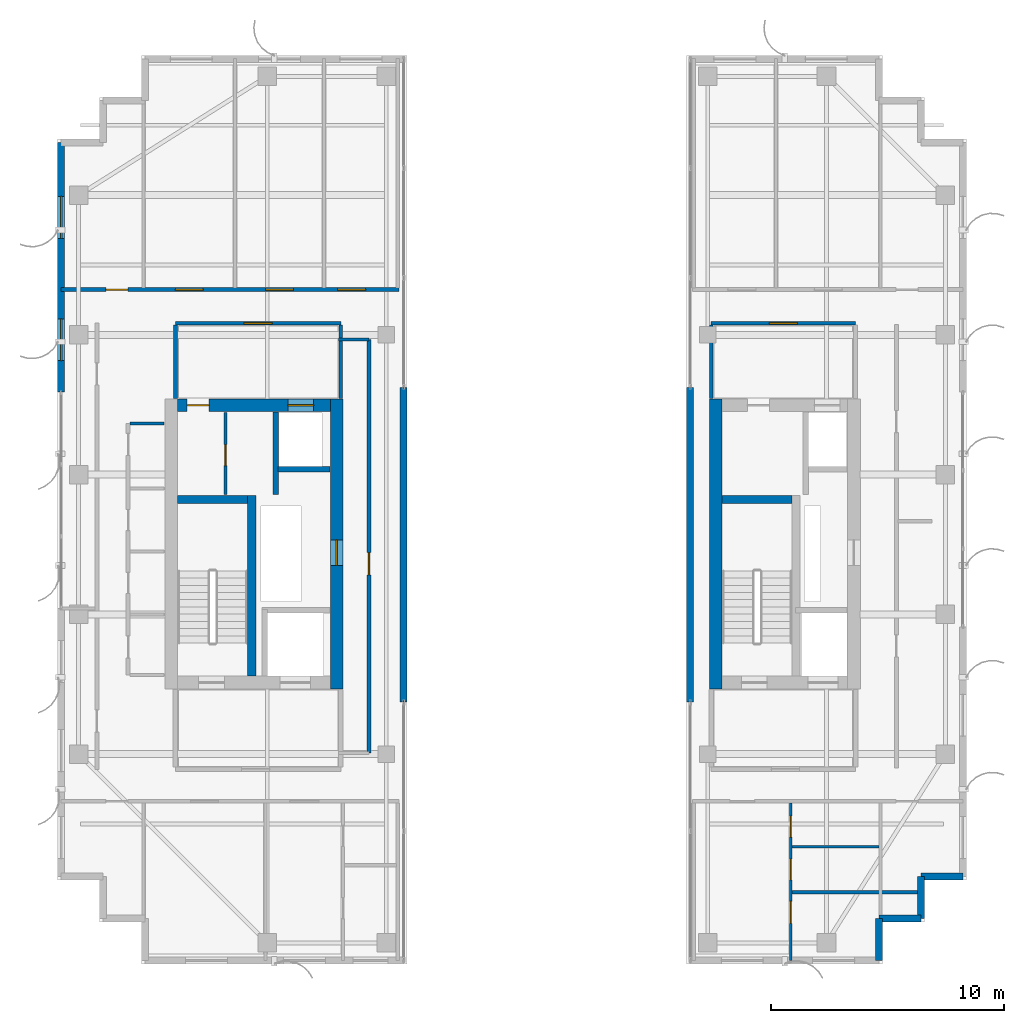
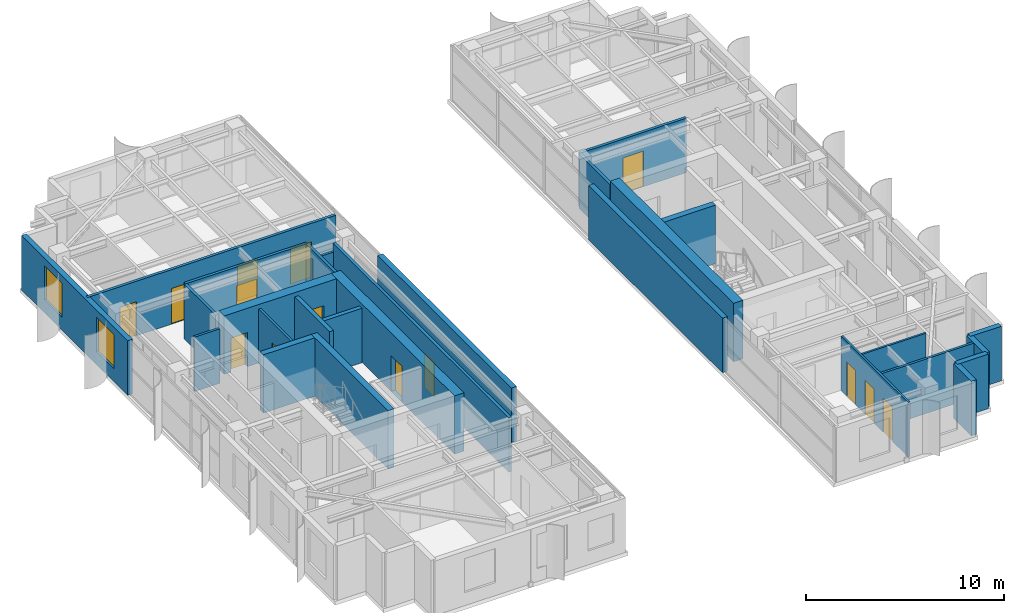
# One storey, part 19 of 24: 28 walls, 14 doors, 2 windows, 16 openings.
"""IFC4 building model written with IfcOpenShell, lengths in metres."""

from ifc_helpers import new_model, si_unit, direction, frame, frame_2d, origin, place, context, subcontext, project, spatial, rectangle, extrude, source, transform, mapped, material, layer, layer_set, type_object, element, fill, save


model = new_model("IFC4")

# Units and contexts
model_context = context("Model", 3, precision=1e-05, world=origin(), true_north=direction((0.0, 1.0)))
body_context = subcontext(model_context, "Body", "Model", "MODEL_VIEW")
ifc_project = project(units=[si_unit("LENGTHUNIT", "METRE"), si_unit("AREAUNIT", "SQUARE_METRE"), si_unit("VOLUMEUNIT", "CUBIC_METRE"), si_unit("PLANEANGLEUNIT", "RADIAN"), si_unit("MASSUNIT", "GRAM", prefix="KILO")], contexts=[model_context])

# Site, building, storey
site_placement = place(None, origin())
site = spatial("IfcSite", under=ifc_project, at=site_placement, CompositionType="ELEMENT")
building_placement = place(site_placement, origin())
building = spatial("IfcBuilding", under=site, at=building_placement, Name="Khoralis Quay Care Tower", CompositionType="ELEMENT")
storey_placement = place(building_placement, frame((0.0, 0.0, 234.89990234375)))
storey = spatial("IfcBuildingStorey", under=building, at=storey_placement, Name="L61", CompositionType="ELEMENT", Elevation=234.89990234375)

# Wall, opening, door
ifc_material_1 = material(Name="Concrete C65/80", Category="concrete")
ifc_layer_1 = layer(ifc_material_1, 0.550048828125)
ifc_layer_set_1 = layer_set([ifc_layer_1], Name="Concrete C65/80")
wall_type_1 = type_object("IfcWallType", Name="WL-CORE-550", PredefinedType="SHEAR", material=ifc_layer_set_1)
wall_1_placement = place(storey_placement, frame((14.97509765625, 14.800048828125, 0.0), z_axis=(0.0, 0.0, 1.0), x_axis=(0.0, 1.0, 0.0)))
wall_1 = element("IfcWall", 1, at=wall_1_placement, inside=storey, type_object=wall_type_1, Name="L61 WCORE East Shear Wall", PredefinedType="SHEAR", context=body_context, shape_type="SweptSolid", body=[
    extrude(rectangle(XDim=12.449951171875, YDim=0.550048828125, at=frame_2d((6.22509765625, 0.0))), origin(), (0.0, 0.0, 1.0), 3.60009765625),
])
opening_1_placement = place(wall_1_placement, frame((5.300048828125, 0.0, 0.0)))
opening_1 = element("IfcOpeningElement", 2, at=opening_1_placement, cuts=wall_1, Name="Opening SD1", PredefinedType="OPENING", context=body_context, shape_type="SweptSolid", body=[
    extrude(rectangle(XDim=1.10009765625, YDim=2.199951171875, at=frame_2d((0.550048828125, 1.10009765625))), frame((0.0, 0.28515625, 0.0), z_axis=(0.0, -1.0, 0.0), x_axis=(1.0, 0.0, 0.0)), (0.0, 0.0, 1.0), 0.570068359375),
])
ifc_material_2 = material(Name="Fire-rated painted steel", Category="steel")
door_type_1 = type_object("IfcDoorType", Name="DR-STAIR-1100X2200", OperationType="NOTDEFINED", PredefinedType="DOOR", material=ifc_material_2)
shared_shape_1 = source(origin(), body_context, "Body", "SweptSolid", [
    extrude(rectangle(XDim=1.10009765625, YDim=2.199951171875, at=frame_2d((0.550048828125, 1.10009765625))), frame((0.0, 0.02490234375, 0.0), z_axis=(0.0, -1.0, 0.0), x_axis=(1.0, 0.0, 0.0)), (0.0, 0.0, 1.0), 0.050048828125),
])
door_1_placement = place(opening_1_placement, origin())
door_1 = element("IfcDoor", 3, at=door_1_placement, inside=storey, type_object=door_type_1, Name="L61 West MEP Riser Door", OperationType="SINGLE_SWING_LEFT", OverallHeight=2.199951171875, OverallWidth=1.10009765625, PredefinedType="DOOR", context=body_context, shape_type="MappedRepresentation", body=[
    mapped(shared_shape_1, transform((0.0, 0.0, 0.0), scale=1.0)),
])
fill(opening_1, door_1)

# Wall, openings, doors
wall_2_placement = place(storey_placement, frame((8.14990234375, 26.97509765625, 0.0), z_axis=(0.0, 0.0, 1.0), x_axis=(1.0, 0.0, 0.0)))
wall_2 = element("IfcWall", 4, at=wall_2_placement, inside=storey, type_object=wall_type_1, Name="L61 WCORE North Shear Wall", PredefinedType="SHEAR", context=body_context, shape_type="SweptSolid", body=[
    extrude(rectangle(XDim=6.550048828125, YDim=0.550048828125, at=frame_2d((3.27490234375, 0.0))), origin(), (0.0, 0.0, 1.0), 3.60009765625),
])
opening_2_placement = place(wall_2_placement, frame((0.39990234375, 0.0, 0.0)))
opening_2 = element("IfcOpeningElement", 5, at=opening_2_placement, cuts=wall_2, Name="Opening ID1", PredefinedType="OPENING", context=body_context, shape_type="SweptSolid", body=[
    extrude(rectangle(XDim=0.949951171875, YDim=2.10009765625, at=frame_2d((0.47509765625, 1.050048828125))), frame((0.0, 0.28515625, 0.0), z_axis=(0.0, -1.0, 0.0), x_axis=(1.0, 0.0, 0.0)), (0.0, 0.0, 1.0), 0.570068359375),
])
opening_3_placement = place(wall_2_placement, frame((4.72998046875, 0.0, 0.0)))
opening_3 = element("IfcOpeningElement", 6, at=opening_3_placement, cuts=wall_2, Name="Opening LD1", PredefinedType="OPENING", context=body_context, shape_type="SweptSolid", body=[
    extrude(rectangle(XDim=1.10009765625, YDim=2.199951171875, at=frame_2d((0.550048828125, 1.10009765625))), frame((0.0, 0.28515625, 0.0), z_axis=(0.0, -1.0, 0.0), x_axis=(1.0, 0.0, 0.0)), (0.0, 0.0, 1.0), 0.570068359375),
])
ifc_material_3 = material(Name="Brushed stainless steel", Category="steel")
door_type_2 = type_object("IfcDoorType", Name="DR-LIFT-1100X2200", OperationType="SLIDING_TO_LEFT", PredefinedType="DOOR", material=ifc_material_3)
shared_shape_2 = source(origin(), body_context, "Body", "SweptSolid", [
    extrude(rectangle(XDim=1.10009765625, YDim=2.199951171875, at=frame_2d((0.550048828125, 1.10009765625))), frame((0.0, 0.02490234375, 0.0), z_axis=(0.0, -1.0, 0.0), x_axis=(1.0, 0.0, 0.0)), (0.0, 0.0, 1.0), 0.050048828125),
])
door_2_placement = place(opening_3_placement, origin())
door_2 = element("IfcDoor", 7, at=door_2_placement, inside=storey, type_object=door_type_2, Name="L61 Lift PLH1 Landing Door", OperationType="SLIDING_TO_LEFT", OverallHeight=2.199951171875, OverallWidth=1.10009765625, PredefinedType="DOOR", context=body_context, shape_type="MappedRepresentation", body=[
    mapped(shared_shape_2, transform((0.0, 0.0, 0.0), scale=1.0)),
])
fill(opening_3, door_2)
ifc_material_4 = material(Name="Acoustic hardwood timber", Category="wood")
door_type_3 = type_object("IfcDoorType", Name="DR-ROOM-950X2100", OperationType="NOTDEFINED", PredefinedType="DOOR", material=ifc_material_4)
shared_shape_3 = source(origin(), body_context, "Body", "SweptSolid", [
    extrude(rectangle(XDim=0.949951171875, YDim=2.10009765625, at=frame_2d((0.47509765625, 1.050048828125))), frame((0.0, 0.02490234375, 0.0), z_axis=(0.0, -1.0, 0.0), x_axis=(1.0, 0.0, 0.0)), (0.0, 0.0, 1.0), 0.050048828125),
])
door_3_placement = place(opening_2_placement, frame((0.949951171875, 0.0, 0.0), z_axis=(0.0, 0.0, 1.0), x_axis=(-1.0, 0.0, 0.0)))
door_3 = element("IfcDoor", 8, at=door_3_placement, inside=storey, type_object=door_type_3, Name="L61 Telemetry Study Door", OperationType="SINGLE_SWING_LEFT", OverallHeight=2.10009765625, OverallWidth=0.949951171875, PredefinedType="DOOR", context=body_context, shape_type="MappedRepresentation", body=[
    mapped(shared_shape_3, transform((0.0, 0.0, 0.0), scale=1.0)),
])
fill(opening_2, door_3)

# Wall
wall_3_placement = place(storey_placement, frame((31.2451171875, 14.800048828125, 0.0), z_axis=(0.0, 0.0, 1.0), x_axis=(0.0, 1.0, 0.0)))
element("IfcWall", 9, at=wall_3_placement, inside=storey, type_object=wall_type_1, Name="L61 ECORE West Shear Wall", PredefinedType="SHEAR", context=body_context, shape_type="SweptSolid", body=[
    extrude(rectangle(XDim=12.449951171875, YDim=0.550048828125, at=frame_2d((6.22509765625, 0.0))), origin(), (0.0, 0.0, 1.0), 3.60009765625),
])

# Wall, opening, door
ifc_material_5 = material(Name="Gypsum plasterboard on acoustic metal stud")
ifc_layer_2 = layer(ifc_material_5, 0.1650390625)
ifc_layer_set_2 = layer_set([ifc_layer_2], Name="Gypsum plasterboard on acoustic metal stud")
wall_type_2 = type_object("IfcWallType", Name="WL-CORR-165", PredefinedType="PARTITIONING", material=ifc_layer_set_2)
wall_4_placement = place(storey_placement, frame((8.050048828125, 30.5, 0.0), z_axis=(0.0, 0.0, 1.0), x_axis=(1.0, 0.0, 0.0)))
wall_4 = element("IfcWall", 10, at=wall_4_placement, inside=storey, type_object=wall_type_2, Name="L61 West Lift Lobby North Wall", PredefinedType="PARTITIONING", context=body_context, shape_type="SweptSolid", body=[
    extrude(rectangle(XDim=7.099853515625, YDim=0.1650390625, at=frame_2d((3.5498046875, 0.0))), origin(), (0.0, 0.0, 1.0), 3.360107421875),
])
opening_4_placement = place(wall_4_placement, frame((2.949951171875, 0.0, 0.0)))
opening_4 = element("IfcOpeningElement", 11, at=opening_4_placement, cuts=wall_4, Name="Opening FD1", PredefinedType="OPENING", context=body_context, shape_type="SweptSolid", body=[
    extrude(rectangle(XDim=1.199951171875, YDim=2.199951171875, at=frame_2d((0.60009765625, 1.10009765625))), frame((0.0, 0.092529296875, 0.0), z_axis=(0.0, -1.0, 0.0), x_axis=(1.0, 0.0, 0.0)), (0.0, 0.0, 1.0), 0.18505859375),
])
door_type_4 = type_object("IfcDoorType", Name="DR-FFL-1200X2200", OperationType="NOTDEFINED", PredefinedType="DOOR", material=ifc_material_2)
shared_shape_4 = source(origin(), body_context, "Body", "SweptSolid", [
    extrude(rectangle(XDim=1.199951171875, YDim=2.199951171875, at=frame_2d((0.60009765625, 1.10009765625))), frame((0.0, 0.02490234375, 0.0), z_axis=(0.0, -1.0, 0.0), x_axis=(1.0, 0.0, 0.0)), (0.0, 0.0, 1.0), 0.050048828125),
])
door_4_placement = place(opening_4_placement, origin())
door_4 = element("IfcDoor", 12, at=door_4_placement, inside=storey, type_object=door_type_4, Name="L61 West Lift Lobby Double Door", OperationType="DOUBLE_DOOR_SINGLE_SWING", OverallHeight=2.199951171875, OverallWidth=1.199951171875, PredefinedType="DOOR", context=body_context, shape_type="MappedRepresentation", body=[
    mapped(shared_shape_4, transform((0.0, 0.0, 0.0), scale=1.0)),
])
fill(opening_4, door_4)

# Walls
for number, where, z_axis, x_axis, name in (
    (13, (8.050048828125, 27.27001953125, 0.0), (0.0, 0.0, 1.0), (0.0, 1.0, 0.0), "L61 West Lift Lobby West Wall"),
    (14, (15.14990234375, 27.27001953125, 0.0), (0.0, 0.0, 1.0), (0.0, 1.0, 0.0), "L61 West Lift Lobby East Wall"),
):
    element("IfcWall", number, at=place(storey_placement, frame(where, z_axis=z_axis, x_axis=x_axis)), inside=storey, type_object=wall_type_2, Name=name, PredefinedType="PARTITIONING", context=body_context, shape_type="SweptSolid", body=[
        extrude(rectangle(XDim=3.152587890625, YDim=0.1650390625, at=frame_2d((1.576171875, 0.0))), origin(), (0.0, 0.0, 1.0), 3.360107421875),
    ])

# Wall, opening, door
wall_5_placement = place(storey_placement, frame((31.050048828125, 30.5, 0.0), z_axis=(0.0, 0.0, 1.0), x_axis=(1.0, 0.0, 0.0)))
wall_5 = element("IfcWall", 15, at=wall_5_placement, inside=storey, type_object=wall_type_2, Name="L61 East Lift Lobby North Wall", PredefinedType="PARTITIONING", context=body_context, shape_type="SweptSolid", body=[
    extrude(rectangle(XDim=6.199951171875, YDim=0.1650390625, at=frame_2d((3.10009765625, 0.0))), origin(), (0.0, 0.0, 1.0), 3.360107421875),
])
opening_5_placement = place(wall_5_placement, frame((2.5, 0.0, 0.0)))
opening_5 = element("IfcOpeningElement", 16, at=opening_5_placement, cuts=wall_5, Name="Opening FD1", PredefinedType="OPENING", context=body_context, shape_type="SweptSolid", body=[
    extrude(rectangle(XDim=1.199951171875, YDim=2.199951171875, at=frame_2d((0.60009765625, 1.10009765625))), frame((0.0, 0.092529296875, 0.0), z_axis=(0.0, -1.0, 0.0), x_axis=(1.0, 0.0, 0.0)), (0.0, 0.0, 1.0), 0.18505859375),
])
door_5_placement = place(opening_5_placement, origin())
door_5 = element("IfcDoor", 17, at=door_5_placement, inside=storey, type_object=door_type_4, Name="L61 East Lift Lobby Double Door", OperationType="DOUBLE_DOOR_SINGLE_SWING", OverallHeight=2.199951171875, OverallWidth=1.199951171875, PredefinedType="DOOR", context=body_context, shape_type="MappedRepresentation", body=[
    mapped(shared_shape_4, transform((0.0, 0.0, 0.0), scale=1.0)),
])
fill(opening_5, door_5)

# Wall
wall_6_placement = place(storey_placement, frame((31.050048828125, 27.27001953125, 0.0), z_axis=(0.0, 0.0, 1.0), x_axis=(0.0, 1.0, 0.0)))
element("IfcWall", 18, at=wall_6_placement, inside=storey, type_object=wall_type_2, Name="L61 East Lift Lobby West Wall", PredefinedType="PARTITIONING", context=body_context, shape_type="SweptSolid", body=[
    extrude(rectangle(XDim=3.152587890625, YDim=0.1650390625, at=frame_2d((1.576171875, 0.0))), origin(), (0.0, 0.0, 1.0), 3.360107421875),
])

# Wall, openings, doors
wall_7_placement = place(storey_placement, frame((3.14501953125, 31.93994140625, 0.0), z_axis=(0.0, 0.0, 1.0), x_axis=(1.0, 0.0, 0.0)))
wall_7 = element("IfcWall", 19, at=wall_7_placement, inside=storey, type_object=wall_type_2, Name="L61 West Wing North Corridor Wall", PredefinedType="PARTITIONING", context=body_context, shape_type="SweptSolid", body=[
    extrude(rectangle(XDim=14.5048828125, YDim=0.1650390625, at=frame_2d((7.25244140625, 0.0))), origin(), (0.0, 0.0, 1.0), 3.360107421875),
])
opening_6_placement = place(wall_7_placement, frame((4.89990234375, 0.0, 0.0)))
opening_6 = element("IfcOpeningElement", 20, at=opening_6_placement, cuts=wall_7, Name="Opening FD1", PredefinedType="OPENING", context=body_context, shape_type="SweptSolid", body=[
    extrude(rectangle(XDim=1.199951171875, YDim=2.199951171875, at=frame_2d((0.60009765625, 1.10009765625))), frame((0.0, 0.092529296875, 0.0), z_axis=(0.0, -1.0, 0.0), x_axis=(1.0, 0.0, 0.0)), (0.0, 0.0, 1.0), 0.18505859375),
])
opening_7_placement = place(wall_7_placement, frame((8.77490234375, 0.0, 0.0)))
opening_7 = element("IfcOpeningElement", 21, at=opening_7_placement, cuts=wall_7, Name="Opening FD1", PredefinedType="OPENING", context=body_context, shape_type="SweptSolid", body=[
    extrude(rectangle(XDim=1.199951171875, YDim=2.199951171875, at=frame_2d((0.60009765625, 1.10009765625))), frame((0.0, 0.092529296875, 0.0), z_axis=(0.0, -1.0, 0.0), x_axis=(1.0, 0.0, 0.0)), (0.0, 0.0, 1.0), 0.18505859375),
])
opening_8_placement = place(wall_7_placement, frame((11.8701171875, 0.0, 0.0)))
opening_8 = element("IfcOpeningElement", 22, at=opening_8_placement, cuts=wall_7, Name="Opening FD1", PredefinedType="OPENING", context=body_context, shape_type="SweptSolid", body=[
    extrude(rectangle(XDim=1.199951171875, YDim=2.199951171875, at=frame_2d((0.60009765625, 1.10009765625))), frame((0.0, 0.092529296875, 0.0), z_axis=(0.0, -1.0, 0.0), x_axis=(1.0, 0.0, 0.0)), (0.0, 0.0, 1.0), 0.18505859375),
])
opening_9_placement = place(wall_7_placement, frame((1.919921875, 0.0, 0.0)))
opening_9 = element("IfcOpeningElement", 23, at=opening_9_placement, cuts=wall_7, Name="Opening ID1", PredefinedType="OPENING", context=body_context, shape_type="SweptSolid", body=[
    extrude(rectangle(XDim=0.949951171875, YDim=2.10009765625, at=frame_2d((0.47509765625, 1.050048828125))), frame((0.0, 0.092529296875, 0.0), z_axis=(0.0, -1.0, 0.0), x_axis=(1.0, 0.0, 0.0)), (0.0, 0.0, 1.0), 0.18505859375),
])
door_6_placement = place(opening_6_placement, origin())
door_6 = element("IfcDoor", 24, at=door_6_placement, inside=storey, type_object=door_type_4, Name="L61 Resident Communal Day Lounge Door", OperationType="DOUBLE_DOOR_SINGLE_SWING", OverallHeight=2.199951171875, OverallWidth=1.199951171875, PredefinedType="DOOR", context=body_context, shape_type="MappedRepresentation", body=[
    mapped(shared_shape_4, transform((0.0, 0.0, 0.0), scale=1.0)),
])
fill(opening_6, door_6)
door_7_placement = place(opening_7_placement, origin())
door_7 = element("IfcDoor", 25, at=door_7_placement, inside=storey, type_object=door_type_4, Name="L61 Resident Communal Day Lounge Door", OperationType="DOUBLE_DOOR_SINGLE_SWING", OverallHeight=2.199951171875, OverallWidth=1.199951171875, PredefinedType="DOOR", context=body_context, shape_type="MappedRepresentation", body=[
    mapped(shared_shape_4, transform((0.0, 0.0, 0.0), scale=1.0)),
])
fill(opening_7, door_7)
door_8_placement = place(opening_8_placement, origin())
door_8 = element("IfcDoor", 26, at=door_8_placement, inside=storey, type_object=door_type_4, Name="L61 Assisted Communal Dining Room Door", OperationType="DOUBLE_DOOR_SINGLE_SWING", OverallHeight=2.199951171875, OverallWidth=1.199951171875, PredefinedType="DOOR", context=body_context, shape_type="MappedRepresentation", body=[
    mapped(shared_shape_4, transform((0.0, 0.0, 0.0), scale=1.0)),
])
fill(opening_8, door_8)
door_9_placement = place(opening_9_placement, origin())
door_9 = element("IfcDoor", 27, at=door_9_placement, inside=storey, type_object=door_type_3, Name="L61 NW Corner Door", OperationType="SINGLE_SWING_RIGHT", OverallHeight=2.10009765625, OverallWidth=0.949951171875, PredefinedType="DOOR", context=body_context, shape_type="MappedRepresentation", body=[
    mapped(shared_shape_3, transform((0.0, 0.0, 0.0), scale=1.0)),
])
fill(opening_9, door_9)

# Wall, opening, door
wall_8_placement = place(storey_placement, frame((16.360107421875, 12.050048828125, 0.0), z_axis=(0.0, 0.0, 1.0), x_axis=(0.0, 1.0, 0.0)))
wall_8 = element("IfcWall", 28, at=wall_8_placement, inside=storey, type_object=wall_type_2, Name="L61 Portal Gallery Wall", PredefinedType="PARTITIONING", context=body_context, shape_type="SweptSolid", body=[
    extrude(rectangle(XDim=17.75, YDim=0.1650390625, at=frame_2d((8.875, 0.0))), origin(), (0.0, 0.0, 1.0), 3.360107421875),
])
opening_10_placement = place(wall_8_placement, frame((7.64990234375, 0.0, 0.0)))
opening_10 = element("IfcOpeningElement", 29, at=opening_10_placement, cuts=wall_8, Name="Opening ID1", PredefinedType="OPENING", context=body_context, shape_type="SweptSolid", body=[
    extrude(rectangle(XDim=0.949951171875, YDim=2.10009765625, at=frame_2d((0.47509765625, 1.050048828125))), frame((0.0, 0.092529296875, 0.0), z_axis=(0.0, -1.0, 0.0), x_axis=(1.0, 0.0, 0.0)), (0.0, 0.0, 1.0), 0.18505859375),
])
door_10_placement = place(opening_10_placement, frame((0.949951171875, 0.0, 0.0), z_axis=(0.0, 0.0, 1.0), x_axis=(-1.0, 0.0, 0.0)))
door_10 = element("IfcDoor", 30, at=door_10_placement, inside=storey, type_object=door_type_3, Name="L61 Portal Reading Lounge Door", OperationType="SINGLE_SWING_LEFT", OverallHeight=2.10009765625, OverallWidth=0.949951171875, PredefinedType="DOOR", context=body_context, shape_type="MappedRepresentation", body=[
    mapped(shared_shape_3, transform((0.0, 0.0, 0.0), scale=1.0)),
])
fill(opening_10, door_10)

# Wall
ifc_material_6 = material(Name="Precast concrete C45/55", Category="concrete")
ifc_layer_3 = layer(ifc_material_6, 0.300048828125)
ifc_layer_set_3 = layer_set([ifc_layer_3], Name="Precast concrete C45/55")
wall_type_3 = type_object("IfcWallType", Name="WL-EXT-REF-300", PredefinedType="SOLIDWALL", material=ifc_layer_set_3)
wall_9_placement = place(storey_placement, frame((17.85009765625, 14.25, 0.0), z_axis=(0.0, 0.0, 1.0), x_axis=(0.0, 1.0, 0.0)))
element("IfcWall", 31, at=wall_9_placement, inside=storey, type_object=wall_type_3, Name="L61 External Facade Wall WL-VP-L61-P1-M", PredefinedType="SOLIDWALL", context=body_context, shape_type="SweptSolid", body=[
    extrude(rectangle(XDim=13.5, YDim=0.300048828125, at=frame_2d((6.75, 0.0))), origin(), (0.0, 0.0, 1.0), 3.360107421875),
])

# Wall, openings, windows
wall_10_placement = place(storey_placement, frame((3.14990234375, 38.25, 0.0), z_axis=(0.0, 0.0, 1.0), x_axis=(0.0, -1.0, 0.0)))
wall_10 = element("IfcWall", 32, at=wall_10_placement, inside=storey, type_object=wall_type_3, Name="L61 External Facade Wall WL-EXT-L61-P1-E7A", PredefinedType="SOLIDWALL", context=body_context, shape_type="SweptSolid", body=[
    extrude(rectangle(XDim=10.7099609375, YDim=0.300048828125, at=frame_2d((5.35498046875, 0.0))), origin(), (0.0, 0.0, 1.0), 3.360107421875),
])
opening_11_placement = place(wall_10_placement, frame((2.304931640625, 0.0, 0.800048828125)))
opening_11 = element("IfcOpeningElement", 33, at=opening_11_placement, cuts=wall_10, Name="Opening W2", PredefinedType="OPENING", context=body_context, shape_type="SweptSolid", body=[
    extrude(rectangle(XDim=1.800048828125, YDim=2.10009765625, at=frame_2d((0.89990234375, 1.050048828125))), frame((0.0, 0.16015625, 0.0), z_axis=(0.0, -1.0, 0.0), x_axis=(1.0, 0.0, 0.0)), (0.0, 0.0, 1.0), 0.320068359375),
])
opening_12_placement = place(wall_10_placement, frame((7.56005859375, 0.0, 0.800048828125)))
opening_12 = element("IfcOpeningElement", 34, at=opening_12_placement, cuts=wall_10, Name="Opening W2", PredefinedType="OPENING", context=body_context, shape_type="SweptSolid", body=[
    extrude(rectangle(XDim=1.800048828125, YDim=2.10009765625, at=frame_2d((0.89990234375, 1.050048828125))), frame((0.0, 0.16015625, 0.0), z_axis=(0.0, -1.0, 0.0), x_axis=(1.0, 0.0, 0.0)), (0.0, 0.0, 1.0), 0.320068359375),
])
ifc_material_7 = material(Name="Low-E solar-control double glazing", Category="glass")
window_type = type_object("IfcWindowType", Name="WN-POD-1800X2100", PartitioningType="SINGLE_PANEL", PredefinedType="WINDOW", material=ifc_material_7)
shared_shape_5 = source(origin(), body_context, "Body", "SweptSolid", [
    extrude(rectangle(XDim=1.800048828125, YDim=2.10009765625, at=frame_2d((0.89990234375, 1.050048828125))), frame((0.0, 0.030029296875, 0.0), z_axis=(0.0, -1.0, 0.0), x_axis=(1.0, 0.0, 0.0)), (0.0, 0.0, 1.0), 0.06005859375),
])
window_1_placement = place(opening_11_placement, origin())
window_1 = element("IfcWindow", 35, at=window_1_placement, inside=storey, type_object=window_type, Name="WN-L61-P1-E7A Facade Window 01", OverallHeight=2.10009765625, OverallWidth=1.800048828125, PartitioningType="SINGLE_PANEL", PredefinedType="WINDOW", context=body_context, shape_type="MappedRepresentation", body=[
    mapped(shared_shape_5, transform((0.0, 0.0, 0.0), scale=1.0)),
])
fill(opening_11, window_1)
window_2_placement = place(opening_12_placement, origin())
window_2 = element("IfcWindow", 36, at=window_2_placement, inside=storey, type_object=window_type, Name="WN-L61-P1-E7A Facade Window 02", OverallHeight=2.10009765625, OverallWidth=1.800048828125, PartitioningType="SINGLE_PANEL", PredefinedType="WINDOW", context=body_context, shape_type="MappedRepresentation", body=[
    mapped(shared_shape_5, transform((0.0, 0.0, 0.0), scale=1.0)),
])
fill(opening_12, window_2)

# Walls
for number, where, z_axis, x_axis, name in (
    (37, (38.25, 3.14990234375, 0.0), (0.0, 0.0, 1.0), (0.0, 1.0, 0.0), "L61 External Facade Wall WL-EXT-L61-P2-C1"),
    (38, (38.25, 4.949951171875, 0.0), (0.0, 0.0, 1.0), (1.0, 0.0, 0.0), "L61 External Facade Wall WL-EXT-L61-P2-C2"),
    (39, (40.050048828125, 4.949951171875, 0.0), (0.0, 0.0, 1.0), (0.0, 1.0, 0.0), "L61 External Facade Wall WL-EXT-L61-P2-C3"),
    (40, (40.050048828125, 6.75, 0.0), (0.0, 0.0, 1.0), (1.0, 0.0, 0.0), "L61 External Facade Wall WL-EXT-L61-P2-C4"),
):
    element("IfcWall", number, at=place(storey_placement, frame(where, z_axis=z_axis, x_axis=x_axis)), inside=storey, type_object=wall_type_3, Name=name, PredefinedType="SOLIDWALL", context=body_context, shape_type="SweptSolid", body=[
        extrude(rectangle(XDim=1.800048828125, YDim=0.300048828125, at=frame_2d((0.89990234375, 0.0))), origin(), (0.0, 0.0, 1.0), 3.360107421875),
    ])
wall_11_placement = place(storey_placement, frame((30.14990234375, 14.25, 0.0), z_axis=(0.0, 0.0, 1.0), x_axis=(0.0, 1.0, 0.0)))
element("IfcWall", 41, at=wall_11_placement, inside=storey, type_object=wall_type_3, Name="L61 External Facade Wall WL-VP-L61-P2-M", PredefinedType="SOLIDWALL", context=body_context, shape_type="SweptSolid", body=[
    extrude(rectangle(XDim=13.5, YDim=0.300048828125, at=frame_2d((6.75, 0.0))), origin(), (0.0, 0.0, 1.0), 3.360107421875),
])

# Wall, openings, doors
ifc_layer_4 = layer(ifc_material_5, 0.114990234375)
ifc_layer_set_4 = layer_set([ifc_layer_4], Name="Gypsum plasterboard on acoustic metal stud")
wall_type_4 = type_object("IfcWallType", Name="WL-PART-115", PredefinedType="PARTITIONING", material=ifc_layer_set_4)
wall_12_placement = place(storey_placement, frame((34.469970703125, 3.14501953125, 0.0), z_axis=(0.0, 0.0, 1.0), x_axis=(0.0, 1.0, 0.0)))
wall_12 = element("IfcWall", 42, at=wall_12_placement, inside=storey, type_object=wall_type_4, Name="L61 Unit 0 Internal Wall", PredefinedType="PARTITIONING", context=body_context, shape_type="SweptSolid", body=[
    extrude(rectangle(XDim=6.757568359375, YDim=0.114990234375, at=frame_2d((3.37890625, 0.0))), origin(), (0.0, 0.0, 1.0), 3.360107421875),
])
opening_13_placement = place(wall_12_placement, frame((1.590576171875, 0.0, 0.0)))
opening_13 = element("IfcOpeningElement", 43, at=opening_13_placement, cuts=wall_12, Name="Opening ID1", PredefinedType="OPENING", context=body_context, shape_type="SweptSolid", body=[
    extrude(rectangle(XDim=0.949951171875, YDim=2.10009765625, at=frame_2d((0.47509765625, 1.050048828125))), frame((0.0, 0.0673828125, 0.0), z_axis=(0.0, -1.0, 0.0), x_axis=(1.0, 0.0, 0.0)), (0.0, 0.0, 1.0), 0.135009765625),
])
opening_14_placement = place(wall_12_placement, frame((3.45361328125, 0.0, 0.0)))
opening_14 = element("IfcOpeningElement", 44, at=opening_14_placement, cuts=wall_12, Name="Opening WD1", PredefinedType="OPENING", context=body_context, shape_type="SweptSolid", body=[
    extrude(rectangle(XDim=0.89990234375, YDim=2.10009765625, at=frame_2d((0.449951171875, 1.050048828125))), frame((0.0, 0.0673828125, 0.0), z_axis=(0.0, -1.0, 0.0), x_axis=(1.0, 0.0, 0.0)), (0.0, 0.0, 1.0), 0.135009765625),
])
opening_15_placement = place(wall_12_placement, frame((5.29296875, 0.0, 0.0)))
opening_15 = element("IfcOpeningElement", 45, at=opening_15_placement, cuts=wall_12, Name="Opening WD1", PredefinedType="OPENING", context=body_context, shape_type="SweptSolid", body=[
    extrude(rectangle(XDim=0.89990234375, YDim=2.10009765625, at=frame_2d((0.449951171875, 1.050048828125))), frame((0.0, 0.0673828125, 0.0), z_axis=(0.0, -1.0, 0.0), x_axis=(1.0, 0.0, 0.0)), (0.0, 0.0, 1.0), 0.135009765625),
])
door_type_5 = type_object("IfcDoorType", Name="DR-BATH-900X2100", OperationType="NOTDEFINED", PredefinedType="DOOR", material=ifc_material_4)
shared_shape_6 = source(origin(), body_context, "Body", "SweptSolid", [
    extrude(rectangle(XDim=0.89990234375, YDim=2.10009765625, at=frame_2d((0.449951171875, 1.050048828125))), frame((0.0, 0.02490234375, 0.0), z_axis=(0.0, -1.0, 0.0), x_axis=(1.0, 0.0, 0.0)), (0.0, 0.0, 1.0), 0.050048828125),
])
door_11_placement = place(opening_14_placement, frame((0.89990234375, 0.0, 0.0), z_axis=(0.0, 0.0, 1.0), x_axis=(-1.0, 0.0, 0.0)))
door_11 = element("IfcDoor", 46, at=door_11_placement, inside=storey, type_object=door_type_5, Name="L61 Apartment ES0 KIT Door", OperationType="SINGLE_SWING_RIGHT", OverallHeight=2.10009765625, OverallWidth=0.89990234375, PredefinedType="DOOR", context=body_context, shape_type="MappedRepresentation", body=[
    mapped(shared_shape_6, transform((0.0, 0.0, 0.0), scale=1.0)),
])
fill(opening_14, door_11)
door_12_placement = place(opening_15_placement, frame((0.89990234375, 0.0, 0.0), z_axis=(0.0, 0.0, 1.0), x_axis=(-1.0, 0.0, 0.0)))
door_12 = element("IfcDoor", 47, at=door_12_placement, inside=storey, type_object=door_type_5, Name="L61 Apartment ES0 BTH Door", OperationType="SINGLE_SWING_LEFT", OverallHeight=2.10009765625, OverallWidth=0.89990234375, PredefinedType="DOOR", context=body_context, shape_type="MappedRepresentation", body=[
    mapped(shared_shape_6, transform((0.0, 0.0, 0.0), scale=1.0)),
])
fill(opening_15, door_12)
door_13_placement = place(opening_13_placement, frame((0.949951171875, 0.0, 0.0), z_axis=(0.0, 0.0, 1.0), x_axis=(-1.0, 0.0, 0.0)))
door_13 = element("IfcDoor", 48, at=door_13_placement, inside=storey, type_object=door_type_3, Name="L61 Apartment ES0 BED Door", OperationType="SINGLE_SWING_LEFT", OverallHeight=2.10009765625, OverallWidth=0.949951171875, PredefinedType="DOOR", context=body_context, shape_type="MappedRepresentation", body=[
    mapped(shared_shape_3, transform((0.0, 0.0, 0.0), scale=1.0)),
])
fill(opening_13, door_13)

# Walls
wall_13_placement = place(storey_placement, frame((34.5224609375, 8.02587890625, 0.0), z_axis=(0.0, 0.0, 1.0), x_axis=(1.0, 0.0, 0.0)))
element("IfcWall", 49, at=wall_13_placement, inside=storey, type_object=wall_type_4, Name="L61 Unit 0 Kitchen Wall", PredefinedType="PARTITIONING", context=body_context, shape_type="SweptSolid", body=[
    extrude(rectangle(XDim=3.732421875, YDim=0.114990234375, at=frame_2d((1.8662109375, 0.0))), origin(), (0.0, 0.0, 1.0), 3.360107421875),
])
ifc_material_8 = material(Name="Moisture-resistant gypsum and ceramic tile")
ifc_layer_5 = layer(ifc_material_8, 0.280029296875)
ifc_layer_set_5 = layer_set([ifc_layer_5], Name="Moisture-resistant gypsum and ceramic tile")
wall_type_5 = type_object("IfcWallType", Name="WL-PLUMB-280", PredefinedType="PLUMBINGWALL", material=ifc_layer_set_5)
wall_14_placement = place(storey_placement, frame((34.5224609375, 6.071044921875, 0.0), z_axis=(0.0, 0.0, 1.0), x_axis=(1.0, 0.0, 0.0)))
element("IfcWall", 50, at=wall_14_placement, inside=storey, type_object=wall_type_5, Name="L61 Unit 0 Wet Wall", PredefinedType="PLUMBINGWALL", context=body_context, shape_type="SweptSolid", body=[
    extrude(rectangle(XDim=5.532470703125, YDim=0.139892578125, at=frame_2d((2.76611328125, 0.0))), origin(), (0.0, 0.0, 1.0), 3.360107421875),
])
ifc_material_9 = material(Name="Concrete C40/50", Category="concrete")
ifc_layer_6 = layer(ifc_material_9, 0.35009765625)
ifc_layer_set_6 = layer_set([ifc_layer_6], Name="Concrete C40/50")
wall_type_6 = type_object("IfcWallType", Name="WL-SC-CORE-350", PredefinedType="SHEAR", material=ifc_layer_set_6)
wall_15_placement = place(storey_placement, frame((11.324951171875, 15.35009765625, 0.0), z_axis=(0.0, 0.0, 1.0), x_axis=(0.0, 1.0, 0.0)))
element("IfcWall", 51, at=wall_15_placement, inside=storey, type_object=wall_type_6, Name="L61 Stair ST-T1 Shear Baffle Wall East", PredefinedType="SHEAR", context=body_context, shape_type="SweptSolid", body=[
    extrude(rectangle(XDim=7.75, YDim=0.35009765625, at=frame_2d((3.875, 0.0))), origin(), (0.0, 0.0, 1.0), 3.60009765625),
])
for number, where, z_axis, x_axis, name in (
    (52, (8.14990234375, 22.925048828125, 0.0), (0.0, 0.0, 1.0), (1.0, 0.0, 0.0), "L61 Stair ST-T1 Shear Baffle Wall North"),
    (53, (31.52001953125, 22.925048828125, 0.0), (0.0, 0.0, 1.0), (1.0, 0.0, 0.0), "L61 Stair ST-T2 Shear Baffle Wall North"),
):
    element("IfcWall", number, at=place(storey_placement, frame(where, z_axis=z_axis, x_axis=x_axis)), inside=storey, type_object=wall_type_6, Name=name, PredefinedType="SHEAR", context=body_context, shape_type="SweptSolid", body=[
        extrude(rectangle(XDim=3.0, YDim=0.35009765625, at=frame_2d((1.5, 0.0))), origin(), (0.0, 0.0, 1.0), 3.60009765625),
    ])
ifc_layer_7 = layer(ifc_material_5, 0.239990234375)
ifc_layer_set_7 = layer_set([ifc_layer_7], Name="Gypsum plasterboard on acoustic metal stud")
wall_type_7 = type_object("IfcWallType", Name="WL-SHAFT-240", PredefinedType="PARTITIONING", material=ifc_layer_set_7)
wall_16_placement = place(storey_placement, frame((12.35009765625, 23.139892578125, 0.0), z_axis=(0.0, 0.0, 1.0), x_axis=(0.0, 1.0, 0.0)))
element("IfcWall", 54, at=wall_16_placement, inside=storey, type_object=wall_type_7, Name="L61 High-Rise Reclaimed Bay Wall West", PredefinedType="PARTITIONING", context=body_context, shape_type="SweptSolid", body=[
    extrude(rectangle(XDim=3.5400390625, YDim=0.239990234375, at=frame_2d((1.77001953125, 0.0))), origin(), (0.0, 0.0, 1.0), 3.360107421875),
])
wall_17_placement = place(storey_placement, frame((12.465087890625, 24.22998046875, 0.0), z_axis=(0.0, 0.0, 1.0), x_axis=(1.0, 0.0, 0.0)))
element("IfcWall", 55, at=wall_17_placement, inside=storey, type_object=wall_type_7, Name="L61 High-Rise Shaft South Wall West", PredefinedType="PARTITIONING", context=body_context, shape_type="SweptSolid", body=[
    extrude(rectangle(XDim=2.21484375, YDim=0.239990234375, at=frame_2d((1.107421875, 0.0))), origin(), (0.0, 0.0, 1.0), 3.360107421875),
])

# Wall, opening, door
ifc_layer_8 = layer(ifc_material_5, 0.139892578125)
ifc_layer_set_8 = layer_set([ifc_layer_8], Name="Gypsum plasterboard on acoustic metal stud")
wall_type_8 = type_object("IfcWallType", Name="WL-UNIT-140", PredefinedType="PARTITIONING", material=ifc_layer_set_8)
wall_18_placement = place(storey_placement, frame((10.199951171875, 23.139892578125, 0.0), z_axis=(0.0, 0.0, 1.0), x_axis=(0.0, 1.0, 0.0)))
wall_18 = element("IfcWall", 56, at=wall_18_placement, inside=storey, type_object=wall_type_8, Name="L61 High-Rise West Core Split V", PredefinedType="PARTITIONING", context=body_context, shape_type="SweptSolid", body=[
    extrude(rectangle(XDim=3.52001953125, YDim=0.139892578125, at=frame_2d((1.760009765625, 0.0))), origin(), (0.0, 0.0, 1.0), 3.360107421875),
])
opening_16_placement = place(wall_18_placement, frame((1.25, 0.0, 0.0)))
opening_16 = element("IfcOpeningElement", 57, at=opening_16_placement, cuts=wall_18, Name="Opening WD1", PredefinedType="OPENING", context=body_context, shape_type="SweptSolid", body=[
    extrude(rectangle(XDim=0.89990234375, YDim=2.10009765625, at=frame_2d((0.449951171875, 1.050048828125))), frame((0.0, 0.080078125, 0.0), z_axis=(0.0, -1.0, 0.0), x_axis=(1.0, 0.0, 0.0)), (0.0, 0.0, 1.0), 0.159912109375),
])
door_14_placement = place(opening_16_placement, frame((0.89990234375, 0.0, 0.0), z_axis=(0.0, 0.0, 1.0), x_axis=(-1.0, 0.0, 0.0)))
door_14 = element("IfcDoor", 58, at=door_14_placement, inside=storey, type_object=door_type_5, Name="L61 Linen Store Door", OperationType="SINGLE_SWING_LEFT", OverallHeight=2.10009765625, OverallWidth=0.89990234375, PredefinedType="DOOR", context=body_context, shape_type="MappedRepresentation", body=[
    mapped(shared_shape_6, transform((0.0, 0.0, 0.0), scale=1.0)),
])
fill(opening_16, door_14)

# Walls
wall_19_placement = place(storey_placement, frame((6.097412109375, 26.199951171875, 0.0), z_axis=(0.0, 0.0, 1.0), x_axis=(1.0, 0.0, 0.0)))
element("IfcWall", 59, at=wall_19_placement, inside=storey, type_object=wall_type_8, Name="L61 West Flank North Cap", PredefinedType="PARTITIONING", context=body_context, shape_type="SweptSolid", body=[
    extrude(rectangle(XDim=1.462646484375, YDim=0.139892578125, at=frame_2d((0.7314453125, 0.0))), origin(), (0.0, 0.0, 1.0), 3.360107421875),
])
wall_20_placement = place(storey_placement, frame((15.050048828125, 29.800048828125, 0.0), z_axis=(0.0, 0.0, 1.0), x_axis=(1.0, 0.0, 0.0)))
element("IfcWall", 60, at=wall_20_placement, inside=storey, type_object=wall_type_8, Name="L61 Portal Alcove North Wall", PredefinedType="PARTITIONING", context=body_context, shape_type="SweptSolid", body=[
    extrude(rectangle(XDim=1.31005859375, YDim=0.139892578125, at=frame_2d((0.655029296875, 0.0))), origin(), (0.0, 0.0, 1.0), 2.860107421875),
])

save(model, "model.ifc")
